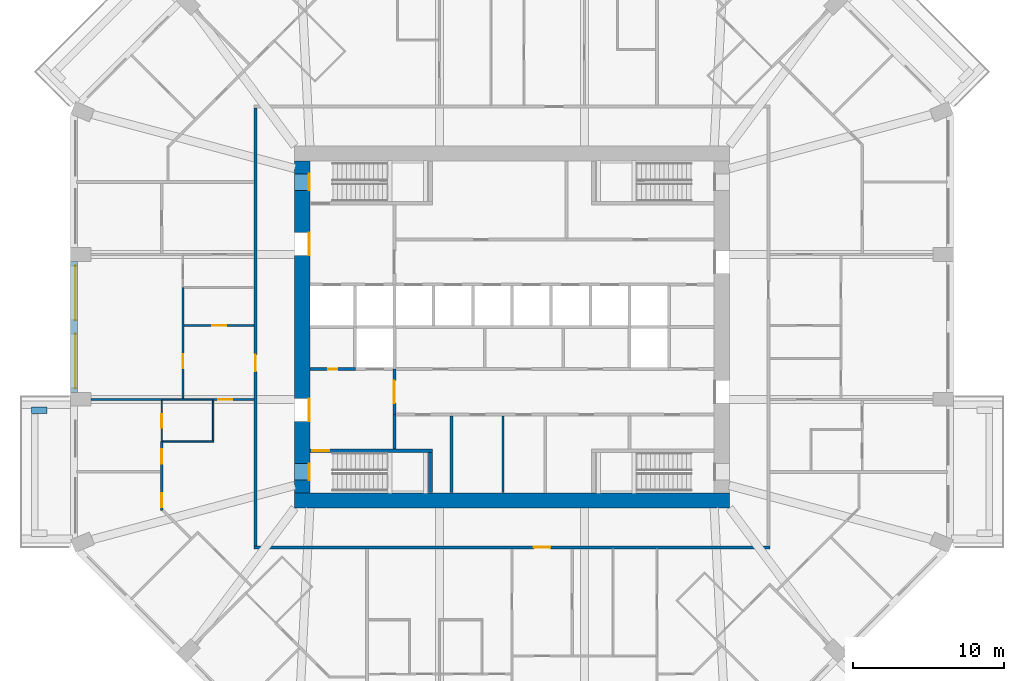
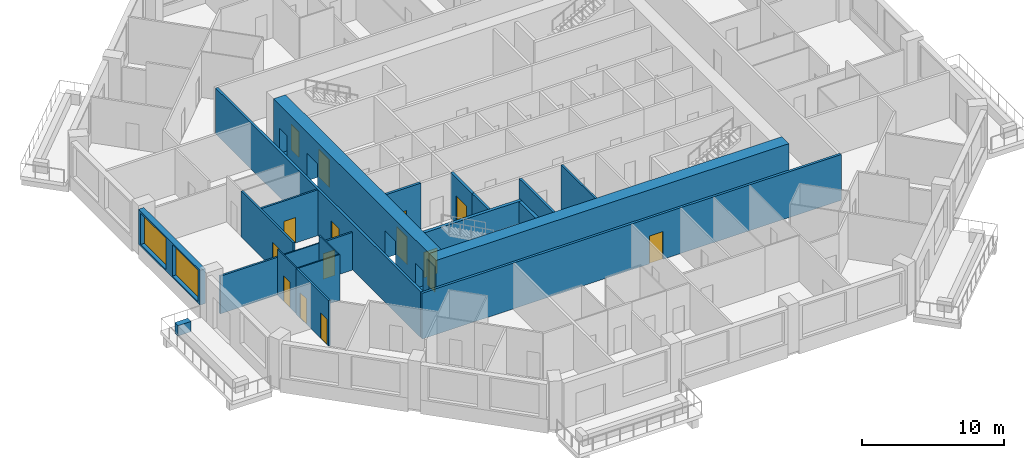
# One storey, part 4 of 13: 22 walls, 15 doors, 2 windows, 17 openings.
"""IFC4 building model written with IfcOpenShell, lengths in metres."""

from ifc_helpers import new_model, si_unit, direction, frame, frame_2d, origin, place, context, subcontext, project, spatial, rectangle, extrude, material, layer, layer_set, type_object, element, fill, save


model = new_model("IFC4")

# Units and contexts
model_context = context("Model", 3, precision=1e-05, world=origin(), true_north=direction((0.0, 1.0)))
body_context = subcontext(model_context, "Body", "Model", "MODEL_VIEW")
ifc_project = project(units=[si_unit("LENGTHUNIT", "METRE"), si_unit("AREAUNIT", "SQUARE_METRE"), si_unit("VOLUMEUNIT", "CUBIC_METRE"), si_unit("PLANEANGLEUNIT", "RADIAN"), si_unit("MASSUNIT", "GRAM", prefix="KILO")], contexts=[model_context])

# Site, building, storey
site_placement = place(None, origin())
site = spatial("IfcSite", under=ifc_project, at=site_placement, CompositionType="ELEMENT")
building_placement = place(site_placement, origin())
building = spatial("IfcBuilding", under=site, at=building_placement, Name="Msitu Wima Residences", CompositionType="ELEMENT")
storey_placement = place(building_placement, frame((0.0, 0.0, 50.699951171875)))
storey = spatial("IfcBuildingStorey", under=building, at=storey_placement, Name="L11", CompositionType="ELEMENT", Elevation=50.699951171875)

# Wall
ifc_material_1 = material(Name="Facing brick")
ifc_layer_1 = layer(ifc_material_1, 0.06494140625, Name="Facing brick")
ifc_material_2 = material(Name="Concrete C40/50", Category="concrete")
ifc_layer_2 = layer(ifc_material_2, 0.156005859375, Name="Concrete C40/50")
ifc_material_3 = material(Name="Waterproofing membrane")
ifc_layer_3 = layer(ifc_material_3, 0.00390625, Name="Waterproofing membrane")
ifc_material_4 = material(Name="Planting soil and planting")
ifc_layer_4 = layer(ifc_material_4, 0.22509765625, Name="Planting soil and planting")
ifc_layer_set_1 = layer_set([ifc_layer_1, ifc_layer_2, ifc_layer_3, ifc_layer_4], Name="Concrete C40/50")
wall_type_1 = type_object("IfcWallType", Name="Balcony planter PLANTER PL450", PredefinedType="USERDEFINED", material=ifc_layer_set_1)
wall_1_placement = place(storey_placement, frame((-30.800048828125, -5.52490234375, 0.0), z_axis=(0.0, 0.0, 1.0), x_axis=(-1.0, 0.0, 0.0)))
element("IfcWall", 1, at=wall_1_placement, inside=storey, type_object=wall_type_1, Name="Balcony planter W2 L11", ObjectType="PLANTER", PredefinedType="USERDEFINED", context=body_context, shape_type="SweptSolid", body=[
    extrude(rectangle(XDim=1.050048828125, YDim=0.449951171875, at=frame_2d((0.52490234375, 0.0))), origin(), (0.0, 0.0, 1.0), 0.900146484375),
])

# Wall, openings, windows
ifc_material_5 = material(Name="Brick (red buff mix)", Category="masonry")
ifc_layer_5 = layer(ifc_material_5, 0.449951171875)
ifc_layer_set_2 = layer_set([ifc_layer_5], Name="Brick (red buff mix)")
wall_type_2 = type_object("IfcWallType", Name="Brick infill wall BW450", PredefinedType="SOLIDWALL", material=ifc_layer_set_2)
wall_2_placement = place(storey_placement, frame((-29.02490234375, 4.35009765625, 0.900146484375), z_axis=(0.0, 0.0, 1.0), x_axis=(0.0, -1.0, 0.0)))
wall_2 = element("IfcWall", 2, at=wall_2_placement, inside=storey, type_object=wall_type_2, Name="Brick infill wall L11 W1", PredefinedType="SOLIDWALL", context=body_context, shape_type="SweptSolid", body=[
    extrude(rectangle(XDim=8.7001953125, YDim=0.449951171875, at=frame_2d((4.35009765625, 0.0))), origin(), (0.0, 0.0, 1.0), 3.0),
])
opening_1_placement = place(wall_2_placement, frame((0.300048828125, 0.0, 0.14990234375)))
opening_1 = element("IfcOpeningElement", 3, at=opening_1_placement, cuts=wall_2, Name="Opening W11-12.031", PredefinedType="OPENING", context=body_context, shape_type="SweptSolid", body=[
    extrude(rectangle(XDim=3.60009765625, YDim=2.699951171875, at=frame_2d((1.800048828125, 1.35009765625))), frame((0.0, 0.23486328125, 0.0), z_axis=(0.0, -1.0, 0.0), x_axis=(1.0, 0.0, 0.0)), (0.0, 0.0, 1.0), 0.469970703125),
])
opening_2_placement = place(wall_2_placement, frame((4.800048828125, 0.0, 0.14990234375)))
opening_2 = element("IfcOpeningElement", 4, at=opening_2_placement, cuts=wall_2, Name="Opening W11-12.032", PredefinedType="OPENING", context=body_context, shape_type="SweptSolid", body=[
    extrude(rectangle(XDim=3.60009765625, YDim=2.699951171875, at=frame_2d((1.800048828125, 1.35009765625))), frame((0.0, 0.23486328125, 0.0), z_axis=(0.0, -1.0, 0.0), x_axis=(1.0, 0.0, 0.0)), (0.0, 0.0, 1.0), 0.469970703125),
])
ifc_material_6 = material(Name="Anodised aluminium, bronze finish, clear low-emissivity double glazing", Category="aluminium")
window_type = type_object("IfcWindowType", Name="Window W3600x2700", PartitioningType="DOUBLE_PANEL_VERTICAL", PredefinedType="WINDOW", material=ifc_material_6)
window_1_placement = place(opening_1_placement, origin())
window_1 = element("IfcWindow", 5, at=window_1_placement, inside=storey, type_object=window_type, Name="Window L11 W1.1", OverallHeight=2.699951171875, OverallWidth=3.60009765625, PartitioningType="SINGLE_PANEL", PredefinedType="WINDOW", context=body_context, shape_type="SweptSolid", body=[
    extrude(rectangle(XDim=3.60009765625, YDim=2.699951171875, at=frame_2d((1.800048828125, 1.35009765625))), frame((0.0, 0.135009765625, 0.0), z_axis=(0.0, -1.0, 0.0), x_axis=(1.0, 0.0, 0.0)), (0.0, 0.0, 1.0), 0.06005859375),
])
fill(opening_1, window_1)
window_2_placement = place(opening_2_placement, origin())
window_2 = element("IfcWindow", 6, at=window_2_placement, inside=storey, type_object=window_type, Name="Window L11 W1.2", OverallHeight=2.699951171875, OverallWidth=3.60009765625, PartitioningType="SINGLE_PANEL", PredefinedType="WINDOW", context=body_context, shape_type="SweptSolid", body=[
    extrude(rectangle(XDim=3.60009765625, YDim=2.699951171875, at=frame_2d((1.800048828125, 1.35009765625))), frame((0.0, 0.135009765625, 0.0), z_axis=(0.0, -1.0, 0.0), x_axis=(1.0, 0.0, 0.0)), (0.0, 0.0, 1.0), 0.06005859375),
])
fill(opening_2, window_2)

# Wall
ifc_material_7 = material(Name="Concrete C80/95", Category="concrete")
ifc_layer_6 = layer(ifc_material_7, 1.0)
ifc_layer_set_3 = layer_set([ifc_layer_6], Name="Concrete C80/95")
wall_type_3 = type_object("IfcWallType", Name="Core wall CW1000 C80/95", PredefinedType="SHEAR", material=ifc_layer_set_3)
wall_3_placement = place(storey_placement, frame((-14.39990234375, -11.5, 0.0), z_axis=(0.0, 0.0, 1.0), x_axis=(1.0, 0.0, 0.0)))
element("IfcWall", 7, at=wall_3_placement, inside=storey, type_object=wall_type_3, Name="Core wall", PredefinedType="SHEAR", context=body_context, shape_type="SweptSolid", body=[
    extrude(rectangle(XDim=28.7998046875, YDim=1.0, at=frame_2d((14.39990234375, 0.0))), origin(), (0.0, 0.0, 1.0), 4.199951171875),
])

# Wall, openings, doors
wall_4_placement = place(storey_placement, frame((-13.89990234375, -11.0, 0.0), z_axis=(0.0, 0.0, 1.0), x_axis=(0.0, 1.0, 0.0)))
wall_4 = element("IfcWall", 8, at=wall_4_placement, inside=storey, type_object=wall_type_3, Name="Core wall", PredefinedType="SHEAR", context=body_context, shape_type="SweptSolid", body=[
    extrude(rectangle(XDim=22.0, YDim=1.0, at=frame_2d((11.0, 0.0))), origin(), (0.0, 0.0, 1.0), 4.199951171875),
])
opening_3_placement = place(wall_4_placement, frame((20.050048828125, 0.0, 0.0)))
opening_3 = element("IfcOpeningElement", 9, at=opening_3_placement, cuts=wall_4, Name="Opening D11-12.031", PredefinedType="OPENING", context=body_context, shape_type="SweptSolid", body=[
    extrude(rectangle(XDim=1.10009765625, YDim=2.199951171875, at=frame_2d((0.550048828125, 1.10009765625))), frame((0.0, 0.510009765625, 0.0), z_axis=(0.0, -1.0, 0.0), x_axis=(1.0, 0.0, 0.0)), (0.0, 0.0, 1.0), 1.02001953125),
])
opening_4_placement = place(wall_4_placement, frame((0.85009765625, 0.0, 0.0)))
opening_4 = element("IfcOpeningElement", 10, at=opening_4_placement, cuts=wall_4, Name="Opening D11-12.033", PredefinedType="OPENING", context=body_context, shape_type="SweptSolid", body=[
    extrude(rectangle(XDim=1.10009765625, YDim=2.199951171875, at=frame_2d((0.550048828125, 1.10009765625))), frame((0.0, 0.510009765625, 0.0), z_axis=(0.0, -1.0, 0.0), x_axis=(1.0, 0.0, 0.0)), (0.0, 0.0, 1.0), 1.02001953125),
])
opening_5_placement = place(wall_4_placement, frame((15.75, 0.0, 0.0)))
opening_5 = element("IfcOpeningElement", 11, at=opening_5_placement, cuts=wall_4, Name="Opening D11-12.013", PredefinedType="OPENING", context=body_context, shape_type="SweptSolid", body=[
    extrude(rectangle(XDim=1.5, YDim=2.39990234375, at=frame_2d((0.75, 1.199951171875))), frame((0.0, 0.510009765625, 0.0), z_axis=(0.0, -1.0, 0.0), x_axis=(1.0, 0.0, 0.0)), (0.0, 0.0, 1.0), 1.02001953125),
])
opening_6_placement = place(wall_4_placement, frame((4.75, 0.0, 0.0)))
opening_6 = element("IfcOpeningElement", 12, at=opening_6_placement, cuts=wall_4, Name="Opening D11-12.015", PredefinedType="OPENING", context=body_context, shape_type="SweptSolid", body=[
    extrude(rectangle(XDim=1.5, YDim=2.39990234375, at=frame_2d((0.75, 1.199951171875))), frame((0.0, 0.510009765625, 0.0), z_axis=(0.0, -1.0, 0.0), x_axis=(1.0, 0.0, 0.0)), (0.0, 0.0, 1.0), 1.02001953125),
])
ifc_material_8 = material(Name="Steel framed glazed door, fire resisting", Category="steel")
door_type_1 = type_object("IfcDoorType", Name="Lobby door D07 1500x2400", OperationType="DOUBLE_DOOR_SINGLE_SWING", PredefinedType="DOOR", material=ifc_material_8)
door_1_placement = place(opening_5_placement, origin())
door_1 = element("IfcDoor", 13, at=door_1_placement, inside=storey, type_object=door_type_1, Name="Lobby door", OperationType="DOUBLE_DOOR_SINGLE_SWING", OverallHeight=2.39990234375, OverallWidth=1.5, PredefinedType="DOOR", context=body_context, shape_type="SweptSolid", body=[
    extrude(rectangle(XDim=1.5, YDim=2.39990234375, at=frame_2d((0.75, 1.199951171875))), frame((0.0, -0.44482421875, 0.0), z_axis=(0.0, -1.0, 0.0), x_axis=(1.0, 0.0, 0.0)), (0.0, 0.0, 1.0), 0.050048828125),
])
fill(opening_5, door_1)
door_2_placement = place(opening_6_placement, origin())
door_2 = element("IfcDoor", 14, at=door_2_placement, inside=storey, type_object=door_type_1, Name="Lobby door", OperationType="DOUBLE_DOOR_SINGLE_SWING", OverallHeight=2.39990234375, OverallWidth=1.5, PredefinedType="DOOR", context=body_context, shape_type="SweptSolid", body=[
    extrude(rectangle(XDim=1.5, YDim=2.39990234375, at=frame_2d((0.75, 1.199951171875))), frame((0.0, -0.44482421875, 0.0), z_axis=(0.0, -1.0, 0.0), x_axis=(1.0, 0.0, 0.0)), (0.0, 0.0, 1.0), 0.050048828125),
])
fill(opening_6, door_2)
ifc_material_9 = material(Name="Steel door, fire resisting, panic bar", Category="steel")
door_type_2 = type_object("IfcDoorType", Name="Stair door D06 1100x2200", OperationType="SINGLE_SWING_LEFT", PredefinedType="DOOR", material=ifc_material_9)
door_3_placement = place(opening_3_placement, origin())
door_3 = element("IfcDoor", 15, at=door_3_placement, inside=storey, type_object=door_type_2, Name="Stair door", OperationType="SINGLE_SWING_RIGHT", OverallHeight=2.199951171875, OverallWidth=1.10009765625, PredefinedType="DOOR", context=body_context, shape_type="SweptSolid", body=[
    extrude(rectangle(XDim=1.10009765625, YDim=2.199951171875, at=frame_2d((0.550048828125, 1.10009765625))), frame((0.0, -0.44482421875, 0.0), z_axis=(0.0, -1.0, 0.0), x_axis=(1.0, 0.0, 0.0)), (0.0, 0.0, 1.0), 0.050048828125),
])
fill(opening_3, door_3)
door_4_placement = place(opening_4_placement, origin())
door_4 = element("IfcDoor", 16, at=door_4_placement, inside=storey, type_object=door_type_2, Name="Stair door", OperationType="SINGLE_SWING_LEFT", OverallHeight=2.199951171875, OverallWidth=1.10009765625, PredefinedType="DOOR", context=body_context, shape_type="SweptSolid", body=[
    extrude(rectangle(XDim=1.10009765625, YDim=2.199951171875, at=frame_2d((0.550048828125, 1.10009765625))), frame((0.0, -0.44482421875, 0.0), z_axis=(0.0, -1.0, 0.0), x_axis=(1.0, 0.0, 0.0)), (0.0, 0.0, 1.0), 0.050048828125),
])
fill(opening_4, door_4)

# Wall, opening, door
ifc_material_10 = material(Name="Plaster")
ifc_layer_7 = layer(ifc_material_10, 0.011962890625, Name="Plaster")
ifc_material_11 = material(Name="Concrete blockwork", Category="masonry")
ifc_layer_8 = layer(ifc_material_11, 0.176025390625, Name="Concrete blockwork")
ifc_layer_9 = layer(ifc_material_10, 0.011962890625, Name="Plaster")
ifc_layer_set_4 = layer_set([ifc_layer_7, ifc_layer_8, ifc_layer_9], Name="Concrete blockwork")
wall_type_4 = type_object("IfcWallType", Name="Corridor wall FW200", PredefinedType="PARTITIONING", material=ifc_layer_set_4)
wall_5_placement = place(storey_placement, frame((-17.0, -14.5, 0.0), z_axis=(0.0, 0.0, 1.0), x_axis=(0.0, 1.0, 0.0)))
wall_5 = element("IfcWall", 17, at=wall_5_placement, inside=storey, type_object=wall_type_4, Name="Corridor wall", PredefinedType="PARTITIONING", context=body_context, shape_type="SweptSolid", body=[
    extrude(rectangle(XDim=29.0, YDim=0.199951171875, at=frame_2d((14.5, 0.0))), origin(), (0.0, 0.0, 1.0), 3.949951171875),
])
opening_7_placement = place(wall_5_placement, frame((11.550048828125, 0.0, 0.0)))
opening_7 = element("IfcOpeningElement", 18, at=opening_7_placement, cuts=wall_5, Name="Opening D11-12.010", PredefinedType="OPENING", context=body_context, shape_type="SweptSolid", body=[
    extrude(rectangle(XDim=1.10009765625, YDim=2.39990234375, at=frame_2d((0.550048828125, 1.199951171875))), frame((0.0, 0.10986328125, 0.0), z_axis=(0.0, -1.0, 0.0), x_axis=(1.0, 0.0, 0.0)), (0.0, 0.0, 1.0), 0.219970703125),
])
ifc_material_12 = material(Name="Timber flush door, fire resisting, self-closing", Category="wood")
door_type_3 = type_object("IfcDoorType", Name="Flat entrance door D01 1100x2400", OperationType="SINGLE_SWING_LEFT", PredefinedType="DOOR", material=ifc_material_12)
door_5_placement = place(opening_7_placement, origin())
door_5 = element("IfcDoor", 19, at=door_5_placement, inside=storey, type_object=door_type_3, Name="Flat entrance door", OperationType="SINGLE_SWING_LEFT", OverallHeight=2.39990234375, OverallWidth=1.10009765625, PredefinedType="DOOR", context=body_context, shape_type="SweptSolid", body=[
    extrude(rectangle(XDim=1.10009765625, YDim=2.39990234375, at=frame_2d((0.550048828125, 1.199951171875))), frame((0.0, 0.02490234375, 0.0), z_axis=(0.0, -1.0, 0.0), x_axis=(1.0, 0.0, 0.0)), (0.0, 0.0, 1.0), 0.050048828125),
])
fill(opening_7, door_5)

wall_6_placement = place(storey_placement, frame((-17.10009765625, -14.60009765625, 0.0), z_axis=(0.0, 0.0, 1.0), x_axis=(1.0, 0.0, 0.0)))
wall_6 = element("IfcWall", 20, at=wall_6_placement, inside=storey, type_object=wall_type_4, Name="Corridor wall", PredefinedType="PARTITIONING", context=body_context, shape_type="SweptSolid", body=[
    extrude(rectangle(XDim=34.2001953125, YDim=0.199951171875, at=frame_2d((17.10009765625, 0.0))), origin(), (0.0, 0.0, 1.0), 3.949951171875),
])
opening_8_placement = place(wall_6_placement, frame((18.550048828125, 0.0, 0.0)))
opening_8 = element("IfcOpeningElement", 21, at=opening_8_placement, cuts=wall_6, Name="Opening D11-12.011", PredefinedType="OPENING", context=body_context, shape_type="SweptSolid", body=[
    extrude(rectangle(XDim=1.10009765625, YDim=2.39990234375, at=frame_2d((0.550048828125, 1.199951171875))), frame((0.0, 0.10986328125, 0.0), z_axis=(0.0, -1.0, 0.0), x_axis=(1.0, 0.0, 0.0)), (0.0, 0.0, 1.0), 0.219970703125),
])
door_6_placement = place(opening_8_placement, origin())
door_6 = element("IfcDoor", 22, at=door_6_placement, inside=storey, type_object=door_type_3, Name="Flat entrance door", OperationType="SINGLE_SWING_LEFT", OverallHeight=2.39990234375, OverallWidth=1.10009765625, PredefinedType="DOOR", context=body_context, shape_type="SweptSolid", body=[
    extrude(rectangle(XDim=1.10009765625, YDim=2.39990234375, at=frame_2d((0.550048828125, 1.199951171875))), frame((0.0, 0.02490234375, 0.0), z_axis=(0.0, -1.0, 0.0), x_axis=(1.0, 0.0, 0.0)), (0.0, 0.0, 1.0), 0.050048828125),
])
fill(opening_8, door_6)

wall_7_placement = place(storey_placement, frame((-7.800048828125, -5.800048828125, 0.0), z_axis=(0.0, 0.0, 1.0), x_axis=(0.0, 1.0, 0.0)))
wall_7 = element("IfcWall", 23, at=wall_7_placement, inside=storey, type_object=wall_type_4, Name="Corridor wall", PredefinedType="PARTITIONING", context=body_context, shape_type="SweptSolid", body=[
    extrude(rectangle(XDim=3.0, YDim=0.199951171875, at=frame_2d((1.5, 0.0))), origin(), (0.0, 0.0, 1.0), 3.949951171875),
])
opening_9_placement = place(wall_7_placement, frame((0.75, 0.0, 0.0)))
opening_9 = element("IfcOpeningElement", 24, at=opening_9_placement, cuts=wall_7, Name="Opening D11-12.016", PredefinedType="OPENING", context=body_context, shape_type="SweptSolid", body=[
    extrude(rectangle(XDim=1.5, YDim=2.39990234375, at=frame_2d((0.75, 1.199951171875))), frame((0.0, 0.10986328125, 0.0), z_axis=(0.0, -1.0, 0.0), x_axis=(1.0, 0.0, 0.0)), (0.0, 0.0, 1.0), 0.219970703125),
])
door_7_placement = place(opening_9_placement, origin())
door_7 = element("IfcDoor", 25, at=door_7_placement, inside=storey, type_object=door_type_1, Name="Lobby door", OperationType="DOUBLE_DOOR_SINGLE_SWING", OverallHeight=2.39990234375, OverallWidth=1.5, PredefinedType="DOOR", context=body_context, shape_type="SweptSolid", body=[
    extrude(rectangle(XDim=1.5, YDim=2.39990234375, at=frame_2d((0.75, 1.199951171875))), frame((0.0, 0.02490234375, 0.0), z_axis=(0.0, -1.0, 0.0), x_axis=(1.0, 0.0, 0.0)), (0.0, 0.0, 1.0), 0.050048828125),
])
fill(opening_9, door_7)

# Wall
ifc_layer_10 = layer(ifc_material_10, 0.011962890625, Name="Plaster")
ifc_layer_11 = layer(ifc_material_11, 0.1259765625, Name="Concrete blockwork")
ifc_layer_12 = layer(ifc_material_10, 0.011962890625, Name="Plaster")
ifc_layer_set_5 = layer_set([ifc_layer_10, ifc_layer_11, ifc_layer_12], Name="Concrete blockwork")
wall_type_5 = type_object("IfcWallType", Name="Partition PW150", PredefinedType="PARTITIONING", material=ifc_layer_set_5)
wall_8_placement = place(storey_placement, frame((-27.89990234375, -4.800048828125, 0.0), z_axis=(0.0, 0.0, 1.0), x_axis=(1.0, 0.0, 0.0)))
element("IfcWall", 26, at=wall_8_placement, inside=storey, type_object=wall_type_5, Name="Partition", PredefinedType="PARTITIONING", context=body_context, shape_type="SweptSolid", body=[
    extrude(rectangle(XDim=4.719970703125, YDim=0.14990234375, at=frame_2d((2.35986328125, 0.0))), origin(), (0.0, 0.0, 1.0), 3.25),
])

# Wall, openings, doors
wall_9_placement = place(storey_placement, frame((-23.199951171875, -12.155517578125, 0.0), z_axis=(0.0, 0.0, 1.0), x_axis=(0.0, 1.0, 0.0)))
wall_9 = element("IfcWall", 27, at=wall_9_placement, inside=storey, type_object=wall_type_5, Name="Partition", PredefinedType="PARTITIONING", context=body_context, shape_type="SweptSolid", body=[
    extrude(rectangle(XDim=4.575439453125, YDim=0.14990234375, at=frame_2d((2.28759765625, 0.0))), origin(), (0.0, 0.0, 1.0), 3.949951171875),
])
opening_10_placement = place(wall_9_placement, frame((3.10009765625, 0.0, 0.0)))
opening_10 = element("IfcOpeningElement", 28, at=opening_10_placement, cuts=wall_9, Name="Opening D11-12.062", PredefinedType="OPENING", context=body_context, shape_type="SweptSolid", body=[
    extrude(rectangle(XDim=0.949951171875, YDim=2.199951171875, at=frame_2d((0.47509765625, 1.10009765625))), frame((0.0, 0.0849609375, 0.0), z_axis=(0.0, -1.0, 0.0), x_axis=(1.0, 0.0, 0.0)), (0.0, 0.0, 1.0), 0.169921875),
])
opening_11_placement = place(wall_9_placement, frame((0.199951171875, 0.0, 0.0)))
opening_11 = element("IfcOpeningElement", 29, at=opening_11_placement, cuts=wall_9, Name="Opening D11-12.067", PredefinedType="OPENING", context=body_context, shape_type="SweptSolid", body=[
    extrude(rectangle(XDim=0.949951171875, YDim=2.199951171875, at=frame_2d((0.47509765625, 1.10009765625))), frame((0.0, 0.0849609375, 0.0), z_axis=(0.0, -1.0, 0.0), x_axis=(1.0, 0.0, 0.0)), (0.0, 0.0, 1.0), 0.169921875),
])
ifc_material_13 = material(Name="Timber flush door", Category="wood")
door_type_4 = type_object("IfcDoorType", Name="Room door D12 950x2200", OperationType="SINGLE_SWING_LEFT", PredefinedType="DOOR", material=ifc_material_13)
door_8_placement = place(opening_10_placement, origin())
door_8 = element("IfcDoor", 30, at=door_8_placement, inside=storey, type_object=door_type_4, Name="Room door", OperationType="SINGLE_SWING_LEFT", OverallHeight=2.199951171875, OverallWidth=0.949951171875, PredefinedType="DOOR", context=body_context, shape_type="SweptSolid", body=[
    extrude(rectangle(XDim=0.949951171875, YDim=2.199951171875, at=frame_2d((0.47509765625, 1.10009765625))), frame((0.0, 0.02490234375, 0.0), z_axis=(0.0, -1.0, 0.0), x_axis=(1.0, 0.0, 0.0)), (0.0, 0.0, 1.0), 0.050048828125),
])
fill(opening_10, door_8)
door_9_placement = place(opening_11_placement, origin())
door_9 = element("IfcDoor", 31, at=door_9_placement, inside=storey, type_object=door_type_4, Name="Room door", OperationType="SINGLE_SWING_RIGHT", OverallHeight=2.199951171875, OverallWidth=0.949951171875, PredefinedType="DOOR", context=body_context, shape_type="SweptSolid", body=[
    extrude(rectangle(XDim=0.949951171875, YDim=2.199951171875, at=frame_2d((0.47509765625, 1.10009765625))), frame((0.0, 0.02490234375, 0.0), z_axis=(0.0, -1.0, 0.0), x_axis=(1.0, 0.0, 0.0)), (0.0, 0.0, 1.0), 0.050048828125),
])
fill(opening_11, door_9)

# Wall, opening, door
wall_10_placement = place(storey_placement, frame((-21.800048828125, -4.75, 0.0), z_axis=(0.0, 0.0, 1.0), x_axis=(0.0, 1.0, 0.0)))
wall_10 = element("IfcWall", 32, at=wall_10_placement, inside=storey, type_object=wall_type_5, Name="Partition", PredefinedType="PARTITIONING", context=body_context, shape_type="SweptSolid", body=[
    extrude(rectangle(XDim=7.3701171875, YDim=0.14990234375, at=frame_2d((3.68505859375, 0.0))), origin(), (0.0, 0.0, 1.0), 3.949951171875),
])
opening_12_placement = place(wall_10_placement, frame((2.0, 0.0, 0.0)))
opening_12 = element("IfcOpeningElement", 33, at=opening_12_placement, cuts=wall_10, Name="Opening D11-12.057", PredefinedType="OPENING", context=body_context, shape_type="SweptSolid", body=[
    extrude(rectangle(XDim=0.949951171875, YDim=2.199951171875, at=frame_2d((0.47509765625, 1.10009765625))), frame((0.0, 0.0849609375, 0.0), z_axis=(0.0, -1.0, 0.0), x_axis=(1.0, 0.0, 0.0)), (0.0, 0.0, 1.0), 0.169921875),
])
door_10_placement = place(opening_12_placement, origin())
door_10 = element("IfcDoor", 34, at=door_10_placement, inside=storey, type_object=door_type_4, Name="Room door", OperationType="SINGLE_SWING_LEFT", OverallHeight=2.199951171875, OverallWidth=0.949951171875, PredefinedType="DOOR", context=body_context, shape_type="SweptSolid", body=[
    extrude(rectangle(XDim=0.949951171875, YDim=2.199951171875, at=frame_2d((0.47509765625, 1.10009765625))), frame((0.0, 0.02490234375, 0.0), z_axis=(0.0, -1.0, 0.0), x_axis=(1.0, 0.0, 0.0)), (0.0, 0.0, 1.0), 0.050048828125),
])
fill(opening_12, door_10)

wall_11_placement = place(storey_placement, frame((-21.72509765625, 0.10009765625, 0.0), z_axis=(0.0, 0.0, 1.0), x_axis=(1.0, 0.0, 0.0)))
wall_11 = element("IfcWall", 35, at=wall_11_placement, inside=storey, type_object=wall_type_5, Name="Partition", PredefinedType="PARTITIONING", context=body_context, shape_type="SweptSolid", body=[
    extrude(rectangle(XDim=4.625, YDim=0.14990234375, at=frame_2d((2.3125, 0.0))), origin(), (0.0, 0.0, 1.0), 3.949951171875),
])
opening_13_placement = place(wall_11_placement, frame((1.85009765625, 0.0, 0.0)))
opening_13 = element("IfcOpeningElement", 36, at=opening_13_placement, cuts=wall_11, Name="Opening D11-12.065", PredefinedType="OPENING", context=body_context, shape_type="SweptSolid", body=[
    extrude(rectangle(XDim=0.949951171875, YDim=2.199951171875, at=frame_2d((0.47509765625, 1.10009765625))), frame((0.0, 0.0849609375, 0.0), z_axis=(0.0, -1.0, 0.0), x_axis=(1.0, 0.0, 0.0)), (0.0, 0.0, 1.0), 0.169921875),
])
door_11_placement = place(opening_13_placement, origin())
door_11 = element("IfcDoor", 37, at=door_11_placement, inside=storey, type_object=door_type_4, Name="Room door", OperationType="SINGLE_SWING_RIGHT", OverallHeight=2.199951171875, OverallWidth=0.949951171875, PredefinedType="DOOR", context=body_context, shape_type="SweptSolid", body=[
    extrude(rectangle(XDim=0.949951171875, YDim=2.199951171875, at=frame_2d((0.47509765625, 1.10009765625))), frame((0.0, 0.02490234375, 0.0), z_axis=(0.0, -1.0, 0.0), x_axis=(1.0, 0.0, 0.0)), (0.0, 0.0, 1.0), 0.050048828125),
])
fill(opening_13, door_11)

wall_12_placement = place(storey_placement, frame((-19.780029296875, -4.800048828125, 0.0), z_axis=(0.0, 0.0, 1.0), x_axis=(1.0, 0.0, 0.0)))
wall_12 = element("IfcWall", 38, at=wall_12_placement, inside=storey, type_object=wall_type_5, Name="Partition", PredefinedType="PARTITIONING", context=body_context, shape_type="SweptSolid", body=[
    extrude(rectangle(XDim=2.679931640625, YDim=0.14990234375, at=frame_2d((1.33984375, 0.0))), origin(), (0.0, 0.0, 1.0), 3.25),
])
opening_14_placement = place(wall_12_placement, frame((0.300048828125, 0.0, 0.0)))
opening_14 = element("IfcOpeningElement", 39, at=opening_14_placement, cuts=wall_12, Name="Opening D11-12.058", PredefinedType="OPENING", context=body_context, shape_type="SweptSolid", body=[
    extrude(rectangle(XDim=0.949951171875, YDim=2.199951171875, at=frame_2d((0.47509765625, 1.10009765625))), frame((0.0, 0.0849609375, 0.0), z_axis=(0.0, -1.0, 0.0), x_axis=(1.0, 0.0, 0.0)), (0.0, 0.0, 1.0), 0.169921875),
])
door_12_placement = place(opening_14_placement, origin())
door_12 = element("IfcDoor", 40, at=door_12_placement, inside=storey, type_object=door_type_4, Name="Room door", OperationType="SINGLE_SWING_RIGHT", OverallHeight=2.199951171875, OverallWidth=0.949951171875, PredefinedType="DOOR", context=body_context, shape_type="SweptSolid", body=[
    extrude(rectangle(XDim=0.949951171875, YDim=2.199951171875, at=frame_2d((0.47509765625, 1.10009765625))), frame((0.0, 0.02490234375, 0.0), z_axis=(0.0, -1.0, 0.0), x_axis=(1.0, 0.0, 0.0)), (0.0, 0.0, 1.0), 0.050048828125),
])
fill(opening_14, door_12)

# Wall
wall_13_placement = place(storey_placement, frame((-0.60009765625, -10.969970703125, 0.0), z_axis=(0.0, 0.0, 1.0), x_axis=(0.0, 1.0, 0.0)))
element("IfcWall", 41, at=wall_13_placement, inside=storey, type_object=wall_type_5, Name="Partition", PredefinedType="PARTITIONING", context=body_context, shape_type="SweptSolid", body=[
    extrude(rectangle(XDim=5.070068359375, YDim=0.14990234375, at=frame_2d((2.53515625, 0.0))), origin(), (0.0, 0.0, 1.0), 3.949951171875),
])

# Wall, opening, door
ifc_layer_13 = layer(ifc_material_10, 0.011962890625, Name="Plaster")
ifc_material_14 = material(Name="Reinforced concrete blockwork", Category="masonry")
ifc_layer_14 = layer(ifc_material_14, 0.176025390625, Name="Reinforced concrete blockwork")
ifc_layer_15 = layer(ifc_material_10, 0.011962890625, Name="Plaster")
ifc_layer_set_6 = layer_set([ifc_layer_13, ifc_layer_14, ifc_layer_15], Name="Reinforced concrete blockwork")
wall_type_6 = type_object("IfcWallType", Name="Plant and riser wall PL200", PredefinedType="PARTITIONING", material=ifc_layer_set_6)
wall_14_placement = place(storey_placement, frame((-13.3701171875, -2.800048828125, 0.0), z_axis=(0.0, 0.0, 1.0), x_axis=(1.0, 0.0, 0.0)))
wall_14 = element("IfcWall", 42, at=wall_14_placement, inside=storey, type_object=wall_type_6, Name="Plant and riser wall", PredefinedType="PARTITIONING", context=body_context, shape_type="SweptSolid", body=[
    extrude(rectangle(XDim=2.990234375, YDim=0.199951171875, at=frame_2d((1.4951171875, 0.0))), origin(), (0.0, 0.0, 1.0), 3.949951171875),
])
opening_15_placement = place(wall_14_placement, frame((1.199951171875, 0.0, 0.0)))
opening_15 = element("IfcOpeningElement", 43, at=opening_15_placement, cuts=wall_14, Name="Opening D11-12.027", PredefinedType="OPENING", context=body_context, shape_type="SweptSolid", body=[
    extrude(rectangle(XDim=0.60009765625, YDim=2.0, at=frame_2d((0.300048828125, 1.0))), frame((0.0, 0.10986328125, 0.0), z_axis=(0.0, -1.0, 0.0), x_axis=(1.0, 0.0, 0.0)), (0.0, 0.0, 1.0), 0.219970703125),
])
ifc_material_15 = material(Name="Steel access door, fire resisting", Category="steel")
door_type_5 = type_object("IfcDoorType", Name="Riser access door D08 600x2000", OperationType="SINGLE_SWING_LEFT", PredefinedType="DOOR", material=ifc_material_15)
door_13_placement = place(opening_15_placement, origin())
door_13 = element("IfcDoor", 44, at=door_13_placement, inside=storey, type_object=door_type_5, Name="Riser access door", OperationType="SINGLE_SWING_RIGHT", OverallHeight=2.0, OverallWidth=0.60009765625, PredefinedType="DOOR", context=body_context, shape_type="SweptSolid", body=[
    extrude(rectangle(XDim=0.60009765625, YDim=2.0, at=frame_2d((0.300048828125, 1.0))), frame((0.0, 0.02490234375, 0.0), z_axis=(0.0, -1.0, 0.0), x_axis=(1.0, 0.0, 0.0)), (0.0, 0.0, 1.0), 0.050048828125),
])
fill(opening_15, door_13)

# Walls
wall_15_placement = place(storey_placement, frame((-7.800048828125, -8.074951171875, 0.0), z_axis=(0.0, 0.0, 1.0), x_axis=(0.0, 1.0, 0.0)))
element("IfcWall", 45, at=wall_15_placement, inside=storey, type_object=wall_type_6, Name="Plant and riser wall", PredefinedType="PARTITIONING", context=body_context, shape_type="SweptSolid", body=[
    extrude(rectangle(XDim=2.27490234375, YDim=0.199951171875, at=frame_2d((1.137451171875, 0.0))), origin(), (0.0, 0.0, 1.0), 3.949951171875),
])
wall_16_placement = place(storey_placement, frame((-4.0, -10.969970703125, 0.0), z_axis=(0.0, 0.0, 1.0), x_axis=(0.0, 1.0, 0.0)))
element("IfcWall", 46, at=wall_16_placement, inside=storey, type_object=wall_type_6, Name="Plant and riser wall", PredefinedType="PARTITIONING", context=body_context, shape_type="SweptSolid", body=[
    extrude(rectangle(XDim=5.070068359375, YDim=0.199951171875, at=frame_2d((2.53515625, 0.0))), origin(), (0.0, 0.0, 1.0), 3.949951171875),
])

# Wall, opening, door
ifc_material_16 = material(Name="Concrete C50/60", Category="concrete")
ifc_layer_16 = layer(ifc_material_16, 0.25)
ifc_layer_set_7 = layer_set([ifc_layer_16], Name="Concrete C50/60")
wall_type_7 = type_object("IfcWallType", Name="Stair enclosure wall SW250", PredefinedType="SHEAR", material=ifc_layer_set_7)
wall_17_placement = place(storey_placement, frame((-13.3701171875, -8.199951171875, 0.0), z_axis=(0.0, 0.0, 1.0), x_axis=(1.0, 0.0, 0.0)))
wall_17 = element("IfcWall", 47, at=wall_17_placement, inside=storey, type_object=wall_type_7, Name="Stair enclosure wall", PredefinedType="SHEAR", context=body_context, shape_type="SweptSolid", body=[
    extrude(rectangle(XDim=8.09521484375, YDim=0.25, at=frame_2d((4.047607421875, 0.0))), origin(), (0.0, 0.0, 1.0), 3.949951171875),
])
opening_16_placement = place(wall_17_placement, frame((0.14990234375, 0.0, 0.0)))
opening_16 = element("IfcOpeningElement", 48, at=opening_16_placement, cuts=wall_17, Name="Opening D11-12.034", PredefinedType="OPENING", context=body_context, shape_type="SweptSolid", body=[
    extrude(rectangle(XDim=1.10009765625, YDim=2.199951171875, at=frame_2d((0.550048828125, 1.10009765625))), frame((0.0, 0.135009765625, 0.0), z_axis=(0.0, -1.0, 0.0), x_axis=(1.0, 0.0, 0.0)), (0.0, 0.0, 1.0), 0.27001953125),
])
door_14_placement = place(opening_16_placement, origin())
door_14 = element("IfcDoor", 49, at=door_14_placement, inside=storey, type_object=door_type_2, Name="Stair door", OperationType="SINGLE_SWING_RIGHT", OverallHeight=2.199951171875, OverallWidth=1.10009765625, PredefinedType="DOOR", context=body_context, shape_type="SweptSolid", body=[
    extrude(rectangle(XDim=1.10009765625, YDim=2.199951171875, at=frame_2d((0.550048828125, 1.10009765625))), frame((0.0, 0.02490234375, 0.0), z_axis=(0.0, -1.0, 0.0), x_axis=(1.0, 0.0, 0.0)), (0.0, 0.0, 1.0), 0.050048828125),
])
fill(opening_16, door_14)

# Walls
wall_18_placement = place(storey_placement, frame((-5.39990234375, -10.969970703125, 0.0), z_axis=(0.0, 0.0, 1.0), x_axis=(0.0, 1.0, 0.0)))
element("IfcWall", 50, at=wall_18_placement, inside=storey, type_object=wall_type_7, Name="Stair enclosure wall", PredefinedType="SHEAR", context=body_context, shape_type="SweptSolid", body=[
    extrude(rectangle(XDim=2.64501953125, YDim=0.25, at=frame_2d((1.322509765625, 0.0))), origin(), (0.0, 0.0, 1.0), 3.949951171875),
])
ifc_material_17 = material(Name="Ceramic tiles")
ifc_layer_17 = layer(ifc_material_17, 0.008056640625, Name="Ceramic tiles")
ifc_material_18 = material(Name="Moisture-resistant board")
ifc_layer_18 = layer(ifc_material_18, 0.012451171875, Name="Moisture-resistant board")
ifc_material_19 = material(Name="Light-gauge stud framing with mineral wool")
ifc_layer_19 = layer(ifc_material_19, 0.06689453125, Name="Light-gauge stud framing with mineral wool")
ifc_layer_20 = layer(ifc_material_18, 0.012451171875, Name="Moisture-resistant board")
ifc_layer_set_8 = layer_set([ifc_layer_17, ifc_layer_18, ifc_layer_19, ifc_layer_20], Name="Light-gauge stud framing with mineral wool")
wall_type_8 = type_object("IfcWallType", Name="Wet wall PW100", PredefinedType="PARTITIONING", material=ifc_layer_set_8)
wall_19_placement = place(storey_placement, frame((-23.179931640625, -4.800048828125, 0.0), z_axis=(0.0, 0.0, 1.0), x_axis=(1.0, 0.0, 0.0)))
element("IfcWall", 51, at=wall_19_placement, inside=storey, type_object=wall_type_8, Name="Wet wall", PredefinedType="PARTITIONING", context=body_context, shape_type="SweptSolid", body=[
    extrude(rectangle(XDim=3.39990234375, YDim=0.10009765625, at=frame_2d((1.699951171875, 0.0))), origin(), (0.0, 0.0, 1.0), 3.25),
])

# Wall, opening, door
wall_20_placement = place(storey_placement, frame((-23.199951171875, -7.580078125, 0.0), z_axis=(0.0, 0.0, 1.0), x_axis=(0.0, 1.0, 0.0)))
wall_20 = element("IfcWall", 52, at=wall_20_placement, inside=storey, type_object=wall_type_8, Name="Wet wall", PredefinedType="PARTITIONING", context=body_context, shape_type="SweptSolid", body=[
    extrude(rectangle(XDim=2.705078125, YDim=0.10009765625, at=frame_2d((1.3525390625, 0.0))), origin(), (0.0, 0.0, 1.0), 3.949951171875),
])
opening_17_placement = place(wall_20_placement, frame((0.89990234375, 0.0, 0.0)))
opening_17 = element("IfcOpeningElement", 53, at=opening_17_placement, cuts=wall_20, Name="Opening D11-12.063", PredefinedType="OPENING", context=body_context, shape_type="SweptSolid", body=[
    extrude(rectangle(XDim=0.89990234375, YDim=2.199951171875, at=frame_2d((0.449951171875, 1.10009765625))), frame((0.0, 0.06005859375, 0.0), z_axis=(0.0, -1.0, 0.0), x_axis=(1.0, 0.0, 0.0)), (0.0, 0.0, 1.0), 0.1201171875),
])
ifc_material_20 = material(Name="Timber flush door, moisture resistant", Category="wood")
door_type_6 = type_object("IfcDoorType", Name="Bathroom door D03 900x2200", OperationType="SINGLE_SWING_LEFT", PredefinedType="DOOR", material=ifc_material_20)
door_15_placement = place(opening_17_placement, origin())
door_15 = element("IfcDoor", 54, at=door_15_placement, inside=storey, type_object=door_type_6, Name="Bathroom door", OperationType="SINGLE_SWING_RIGHT", OverallHeight=2.199951171875, OverallWidth=0.89990234375, PredefinedType="DOOR", context=body_context, shape_type="SweptSolid", body=[
    extrude(rectangle(XDim=0.89990234375, YDim=2.199951171875, at=frame_2d((0.449951171875, 1.10009765625))), frame((0.0, 0.02490234375, 0.0), z_axis=(0.0, -1.0, 0.0), x_axis=(1.0, 0.0, 0.0)), (0.0, 0.0, 1.0), 0.050048828125),
])
fill(opening_17, door_15)

# Walls
wall_21_placement = place(storey_placement, frame((-23.125, -7.60009765625, 0.0), z_axis=(0.0, 0.0, 1.0), x_axis=(1.0, 0.0, 0.0)))
element("IfcWall", 55, at=wall_21_placement, inside=storey, type_object=wall_type_8, Name="Wet wall", PredefinedType="PARTITIONING", context=body_context, shape_type="SweptSolid", body=[
    extrude(rectangle(XDim=3.375, YDim=0.10009765625, at=frame_2d((1.6875, 0.0))), origin(), (0.0, 0.0, 1.0), 3.949951171875),
])
wall_22_placement = place(storey_placement, frame((-19.800048828125, -7.550048828125, 0.0), z_axis=(0.0, 0.0, 1.0), x_axis=(0.0, 1.0, 0.0)))
element("IfcWall", 56, at=wall_22_placement, inside=storey, type_object=wall_type_8, Name="Wet wall", PredefinedType="PARTITIONING", context=body_context, shape_type="SweptSolid", body=[
    extrude(rectangle(XDim=2.675048828125, YDim=0.10009765625, at=frame_2d((1.33740234375, 0.0))), origin(), (0.0, 0.0, 1.0), 3.949951171875),
])

save(model, "model.ifc")
